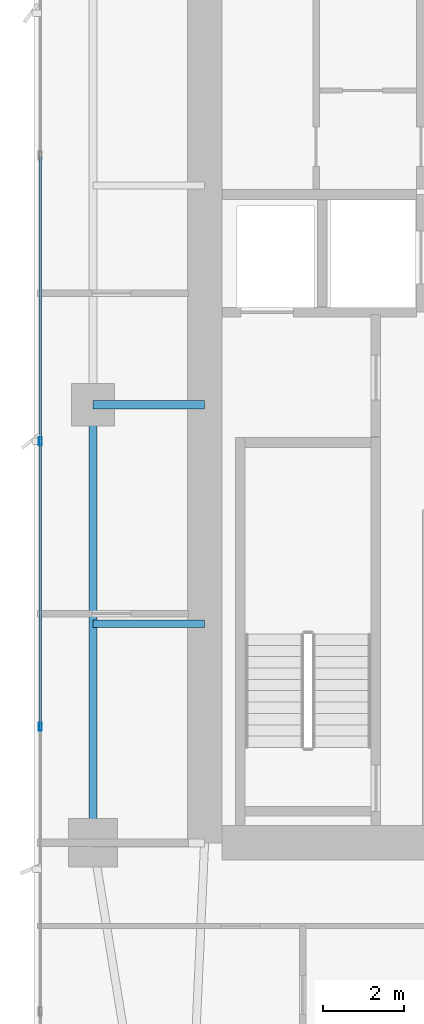
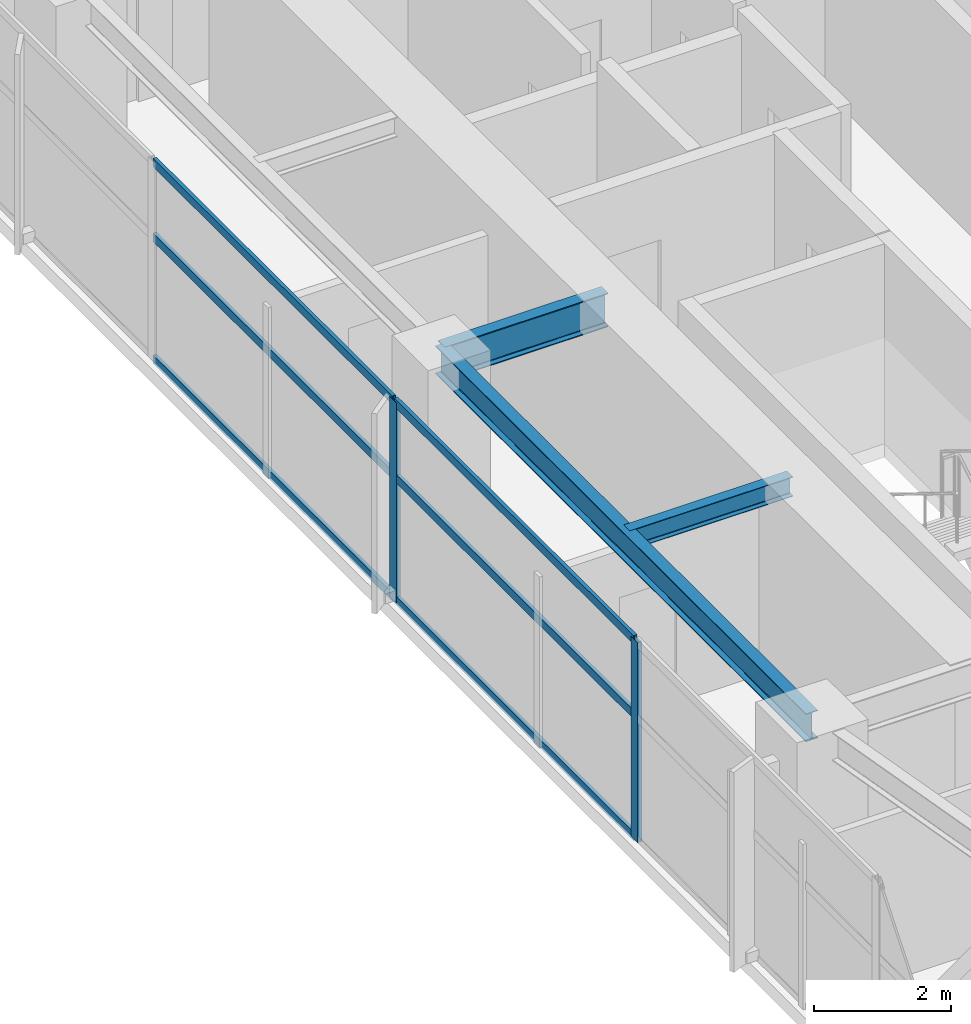
# One storey, part 8 of 29: 8 members, 3 beams, 1 element without a shape of its own.
"""IFC4 building model written with IfcOpenShell, lengths in metres."""

from ifc_helpers import new_model, si_unit, direction, frame, origin, origin_2d, place, context, subcontext, project, spatial, hollow_rectangle, i_section, extrude, material, layer, layer_set, material_profile, profile_set, type_object, element, aggregate, save


model = new_model("IFC4")

# Units and contexts
model_context = context("Model", 3, precision=1e-05, world=origin(), true_north=direction((0.0, 1.0)))
body_context = subcontext(model_context, "Body", "Model", "MODEL_VIEW")
ifc_project = project(units=[si_unit("LENGTHUNIT", "METRE"), si_unit("AREAUNIT", "SQUARE_METRE"), si_unit("VOLUMEUNIT", "CUBIC_METRE"), si_unit("PLANEANGLEUNIT", "RADIAN"), si_unit("MASSUNIT", "GRAM", prefix="KILO")], contexts=[model_context])

# Site, building, storey
site_placement = place(None, origin())
site = spatial("IfcSite", under=ifc_project, at=site_placement, CompositionType="ELEMENT")
building_placement = place(site_placement, origin())
building = spatial("IfcBuilding", under=site, at=building_placement, Name="Calvorn Quay Hotel", CompositionType="ELEMENT")
storey_placement = place(building_placement, frame((0.0, 0.0, 167.5)))
storey = spatial("IfcBuildingStorey", under=building, at=storey_placement, Name="L41", CompositionType="ELEMENT", Elevation=167.5)

# Beams
ifc_material_1 = material(Name="Steel Q355B", Category="steel")
ifc_material_profile_1 = material_profile(ifc_material_1, i_section(OverallWidth=0.199951171875, OverallDepth=0.60009765625, WebThickness=0.010986328125, FlangeThickness=0.01708984375, FilletRadius=0.01806640625, at=origin_2d()), Name="HN600x200x11x17")
ifc_profile_set_1 = profile_set([ifc_material_profile_1], Name="Steel Q355B")
beam_type_1 = type_object("IfcBeamType", Name="BM-GIRD-TYP", PredefinedType="BEAM", material=ifc_profile_set_1)
beam_1_placement = place(storey_placement, frame((1.449951171875, 27.60009765625, 3.239990234375), z_axis=(1.0, 0.0, 0.0), x_axis=(0.0, 1.0, 0.0)))
element("IfcBeam", 1, at=beam_1_placement, inside=storey, type_object=beam_type_1, Name="Beam BG-L41-W2", PredefinedType="BEAM", context=body_context, shape_type="SweptSolid", body=[
    extrude(i_section(OverallWidth=0.199951171875, OverallDepth=0.60009765625, WebThickness=0.010986328125, FlangeThickness=0.01708984375, FilletRadius=0.01806640625, at=origin_2d()), origin(), (0.0, 0.0, 1.0), 2.75),
])
ifc_material_2 = material(Name="Steel Q355B", Category="steel")
ifc_material_profile_2 = material_profile(ifc_material_2, i_section(OverallWidth=0.175048828125, OverallDepth=0.35009765625, WebThickness=0.007080078125, FlangeThickness=0.010986328125, FilletRadius=0.013916015625, at=origin_2d()), Name="HN350x175x7x11")
ifc_profile_set_2 = profile_set([ifc_material_profile_2], Name="Steel Q355B")
beam_type_2 = type_object("IfcBeamType", Name="BM-JOIST-SEC", PredefinedType="JOIST", material=ifc_profile_set_2)
beam_2_placement = place(storey_placement, frame((1.449951171875, 22.199951171875, 3.364990234375), z_axis=(1.0, 0.0, 0.0), x_axis=(0.0, 1.0, 0.0)))
element("IfcBeam", 2, at=beam_2_placement, inside=storey, type_object=beam_type_2, Name="Beam BJ-L41-W3", PredefinedType="JOIST", context=body_context, shape_type="SweptSolid", body=[
    extrude(i_section(OverallWidth=0.175048828125, OverallDepth=0.35009765625, WebThickness=0.007080078125, FlangeThickness=0.010986328125, FilletRadius=0.013916015625, at=origin_2d()), origin(), (0.0, 0.0, 1.0), 2.75),
])
ifc_material_3 = material(Name="Steel Q355B", Category="steel")
ifc_material_profile_3 = material_profile(ifc_material_3, i_section(OverallWidth=0.199951171875, OverallDepth=0.5, WebThickness=0.010009765625, FlangeThickness=0.01611328125, FilletRadius=0.01611328125, at=origin_2d()), Name="HN500x200x10x16")
ifc_profile_set_3 = profile_set([ifc_material_profile_3], Name="Steel Q355B")
beam_type_3 = type_object("IfcBeamType", Name="BM-SPANDREL-Z1", PredefinedType="SPANDREL", material=ifc_profile_set_3)
beam_3_placement = place(storey_placement, frame((1.449951171875, 16.800048828125, 3.2900390625), z_axis=(0.0, 1.0, 0.0), x_axis=(-1.0, 0.0, 0.0)))
element("IfcBeam", 3, at=beam_3_placement, inside=storey, type_object=beam_type_3, Name="Beam BSP-L41-W2", PredefinedType="SPANDREL", context=body_context, shape_type="SweptSolid", body=[
    extrude(i_section(OverallWidth=0.199951171875, OverallDepth=0.5, WebThickness=0.010009765625, FlangeThickness=0.01611328125, FilletRadius=0.01611328125, at=origin_2d()), origin(), (0.0, 0.0, 1.0), 10.800048828125),
])

# Curtain wall, members
ifc_material_4 = material(Name="Pale Anodised Aluminium and Low-E Glass", Category="aluminium")
ifc_layer = layer(ifc_material_4, 0.219970703125)
ifc_layer_set = layer_set([ifc_layer], Name="CW-SYS-Z2")
curtain_wall_type = type_object("IfcCurtainWallType", Name="CW-SYS-Z2", PredefinedType="NOTDEFINED", material=ifc_layer_set)
curtain_wall_placement = place(storey_placement, origin())
curtain_wall = element("IfcCurtainWall", 4, at=curtain_wall_placement, inside=storey, type_object=curtain_wall_type, Name="Tower West Curtain Wall (L41)", PredefinedType="NOTDEFINED")
ifc_material_5 = material(Name="Pale Anodised Aluminium 6063-T6", Category="aluminium")
ifc_material_profile_4 = material_profile(ifc_material_5, hollow_rectangle(XDim=0.070068359375, YDim=0.199951171875, WallThickness=0.00390625, at=origin_2d()), Name="ALU-M200x70x4")
ifc_profile_set_4 = profile_set([ifc_material_profile_4], Name="Pale Anodised Aluminium 6063-T6")
member_type_1 = type_object("IfcMemberType", Name="CW-SYS-Z2-MUL", PredefinedType="MULLION", material=ifc_profile_set_4)
member_1_placement = place(storey_placement, frame((0.14990234375, 19.666748046875, 0.0), z_axis=(0.0, 0.0, 1.0), x_axis=(-1.0, 0.0, 0.0)))
member_1 = element("IfcMember", 5, at=member_1_placement, type_object=member_type_1, Name="CW-L41-W mullion 3", PredefinedType="MULLION", context=body_context, shape_type="SweptSolid", body=[
    extrude(hollow_rectangle(XDim=0.070068359375, YDim=0.199951171875, WallThickness=0.00390625, at=origin_2d()), origin(), (0.0, 0.0, 1.0), 3.56005859375),
])
member_2_placement = place(storey_placement, frame((0.14990234375, 26.699951171875, 0.0), z_axis=(0.0, 0.0, 1.0), x_axis=(-1.0, 0.0, 0.0)))
member_2 = element("IfcMember", 6, at=member_2_placement, type_object=member_type_1, Name="CW-L41-W mullion 4", PredefinedType="MULLION", context=body_context, shape_type="SweptSolid", body=[
    extrude(hollow_rectangle(XDim=0.070068359375, YDim=0.199951171875, WallThickness=0.00390625, at=origin_2d()), origin(), (0.0, 0.0, 1.0), 3.56005859375),
])
ifc_material_6 = material(Name="Pale Anodised Aluminium 6063-T6", Category="aluminium")
ifc_material_profile_5 = material_profile(ifc_material_6, hollow_rectangle(XDim=0.06005859375, YDim=0.14990234375, WallThickness=0.00341796875, at=origin_2d()), Name="ALU-T150x60x3.5")
ifc_profile_set_5 = profile_set([ifc_material_profile_5], Name="Pale Anodised Aluminium 6063-T6")
member_type_2 = type_object("IfcMemberType", Name="CW-SYS-Z2-TRN", PredefinedType="USERDEFINED", material=ifc_profile_set_5)
member_3_placement = place(storey_placement, frame((0.14990234375, 19.69677734375, 0.030029296875), z_axis=(0.0, 1.0, 0.0), x_axis=(-1.0, 0.0, 0.0)))
member_3 = element("IfcMember", 7, at=member_3_placement, type_object=member_type_2, Name="CW-L41-W transom 3.1", ObjectType="TRANSOM", PredefinedType="USERDEFINED", context=body_context, shape_type="SweptSolid", body=[
    extrude(hollow_rectangle(XDim=0.06005859375, YDim=0.14990234375, WallThickness=0.00341796875, at=origin_2d()), origin(), (0.0, 0.0, 1.0), 6.97314453125),
])
member_4_placement = place(storey_placement, frame((0.14990234375, 19.69677734375, 2.199951171875), z_axis=(0.0, 1.0, 0.0), x_axis=(-1.0, 0.0, 0.0)))
member_4 = element("IfcMember", 8, at=member_4_placement, type_object=member_type_2, Name="CW-L41-W transom 3.2", ObjectType="TRANSOM", PredefinedType="USERDEFINED", context=body_context, shape_type="SweptSolid", body=[
    extrude(hollow_rectangle(XDim=0.06005859375, YDim=0.14990234375, WallThickness=0.00341796875, at=origin_2d()), origin(), (0.0, 0.0, 1.0), 6.97314453125),
])
member_5_placement = place(storey_placement, frame((0.14990234375, 19.69677734375, 3.530029296875), z_axis=(0.0, 1.0, 0.0), x_axis=(-1.0, 0.0, 0.0)))
member_5 = element("IfcMember", 9, at=member_5_placement, type_object=member_type_2, Name="CW-L41-W transom 3.3", ObjectType="TRANSOM", PredefinedType="USERDEFINED", context=body_context, shape_type="SweptSolid", body=[
    extrude(hollow_rectangle(XDim=0.06005859375, YDim=0.14990234375, WallThickness=0.00341796875, at=origin_2d()), origin(), (0.0, 0.0, 1.0), 6.97314453125),
])
member_6_placement = place(storey_placement, frame((0.14990234375, 26.72998046875, 0.030029296875), z_axis=(0.0, 1.0, 0.0), x_axis=(-1.0, 0.0, 0.0)))
member_6 = element("IfcMember", 10, at=member_6_placement, type_object=member_type_2, Name="CW-L41-W transom 4.1", ObjectType="TRANSOM", PredefinedType="USERDEFINED", context=body_context, shape_type="SweptSolid", body=[
    extrude(hollow_rectangle(XDim=0.06005859375, YDim=0.14990234375, WallThickness=0.00341796875, at=origin_2d()), origin(), (0.0, 0.0, 1.0), 6.973388671875),
])
member_7_placement = place(storey_placement, frame((0.14990234375, 26.72998046875, 2.199951171875), z_axis=(0.0, 1.0, 0.0), x_axis=(-1.0, 0.0, 0.0)))
member_7 = element("IfcMember", 11, at=member_7_placement, type_object=member_type_2, Name="CW-L41-W transom 4.2", ObjectType="TRANSOM", PredefinedType="USERDEFINED", context=body_context, shape_type="SweptSolid", body=[
    extrude(hollow_rectangle(XDim=0.06005859375, YDim=0.14990234375, WallThickness=0.00341796875, at=origin_2d()), origin(), (0.0, 0.0, 1.0), 6.973388671875),
])
member_8_placement = place(storey_placement, frame((0.14990234375, 26.72998046875, 3.530029296875), z_axis=(0.0, 1.0, 0.0), x_axis=(-1.0, 0.0, 0.0)))
member_8 = element("IfcMember", 12, at=member_8_placement, type_object=member_type_2, Name="CW-L41-W transom 4.3", ObjectType="TRANSOM", PredefinedType="USERDEFINED", context=body_context, shape_type="SweptSolid", body=[
    extrude(hollow_rectangle(XDim=0.06005859375, YDim=0.14990234375, WallThickness=0.00341796875, at=origin_2d()), origin(), (0.0, 0.0, 1.0), 6.973388671875),
])
aggregate(curtain_wall, [member_1, member_2, member_3, member_4, member_5, member_6, member_7, member_8])

save(model, "model.ifc")
